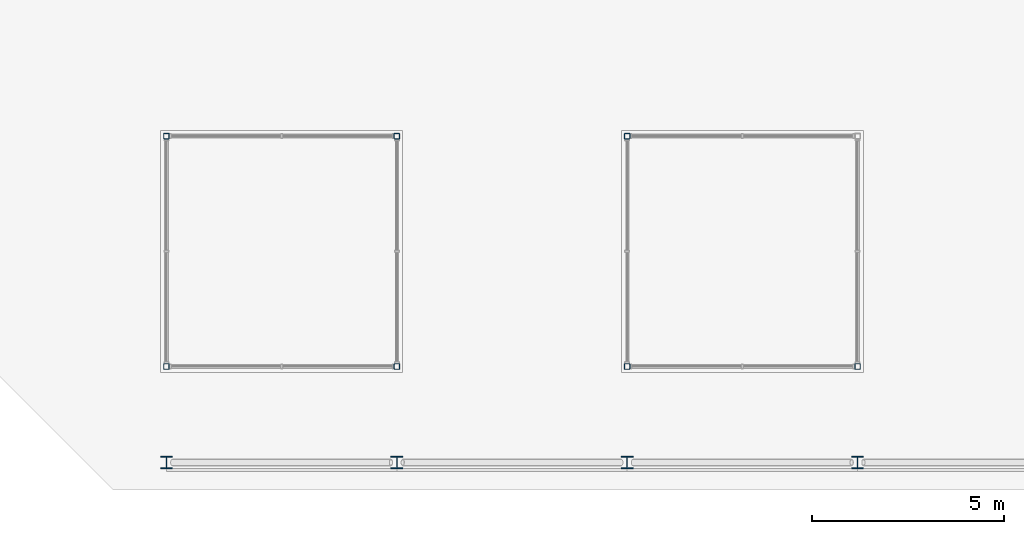
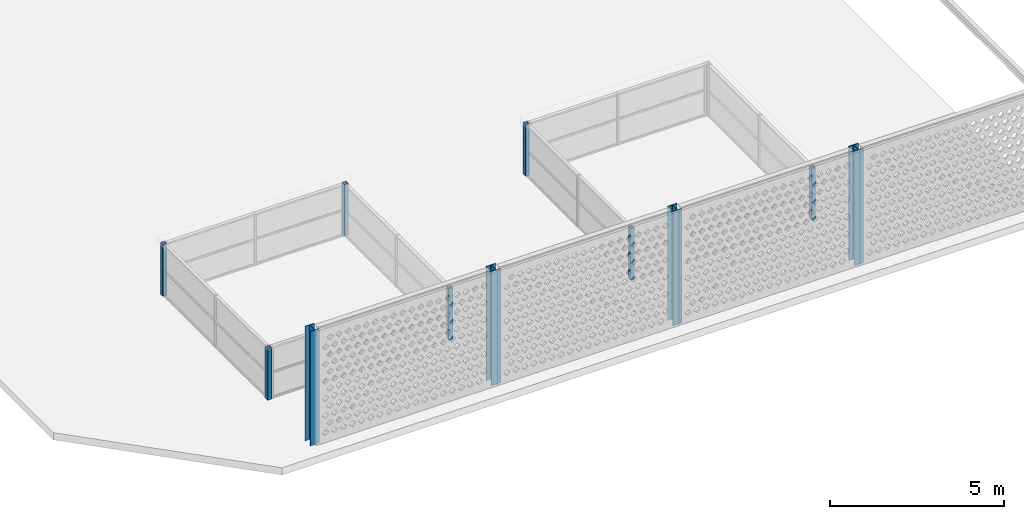
# One storey, part 1 of 10: 11 columns.
"""IFC4 building model written with IfcOpenShell, lengths in metres."""

import ifcopenshell
import ifcopenshell.guid

model = None  # the IFC model being written
_history = None  # IfcOwnerHistory: only IFC2X3 demands one
_inside = {}  # id of a spatial element -> (the spatial element, [elements in it])
_under = {}  # id of a project, library or spatial element -> (it, [spatial elements below it])
_declared = {}  # id of a project -> (the project, [libraries it declares])
_typed = {}  # id of a type object -> (the type object, [elements of that type])
_made_of = {}  # id of a material, layer set ... -> (it, [elements and type objects made of it])


def new_model(schema):
    """Start an empty IFC model of exactly this schema.

    Asked for "IFC4X3", IfcOpenShell would pick the latest addendum, in which some entities
    have other attributes; the version numbers below select the first issue.
    IFC2X3 requires an IfcOwnerHistory on every rooted entity: one is made here for all.
    """
    global model, _history
    if schema == "IFC4X3":
        model = ifcopenshell.file(schema_version=(4, 3, 0, 0))
    else:
        model = ifcopenshell.file(schema=schema)
    _inside.clear()
    _under.clear()
    _declared.clear()
    _typed.clear()
    _made_of.clear()
    _history = None
    if model.schema == "IFC2X3":
        org = make("IfcOrganization", Name="unknown")
        user = make(
            "IfcPersonAndOrganization",
            ThePerson=make("IfcPerson", FamilyName="unknown"),
            TheOrganization=org,
        )
        app = make(
            "IfcApplication",
            ApplicationDeveloper=org,
            Version="unknown",
            ApplicationFullName="unknown",
            ApplicationIdentifier="unknown",
        )
        _history = make(
            "IfcOwnerHistory",
            OwningUser=user,
            OwningApplication=app,
            ChangeAction="ADDED",
            CreationDate=0,
        )
    return model


def make(cls, **values):
    """One entity of the class cls with the attributes given. An attribute that is None is left unset."""
    return model.create_entity(
        cls, **{name: value for name, value in values.items() if value is not None}
    )


def rooted(cls, **values):
    """An entity with a GlobalId (a new one), such as an element, a storey or a relation."""
    return make(cls, GlobalId=ifcopenshell.guid.new(), OwnerHistory=_history, **values)


def si_unit(unit_type, name, prefix=None):
    """IfcSIUnit, for example si_unit("LENGTHUNIT", "METRE", prefix="MILLI")."""
    return make("IfcSIUnit", UnitType=unit_type, Prefix=prefix, Name=name)


def assignment(units):
    """IfcUnitAssignment: the units of a project."""
    return None if units is None else make("IfcUnitAssignment", Units=units)


def point(xyz):
    """IfcCartesianPoint."""
    return None if xyz is None else make("IfcCartesianPoint", Coordinates=xyz)


def direction(xyz):
    """IfcDirection."""
    return None if xyz is None else make("IfcDirection", DirectionRatios=xyz)


def frame(location, z_axis=None, x_axis=None):
    """IfcAxis2Placement3D, a coordinate frame: its origin and axes. An axis left out is left unset."""
    return make(
        "IfcAxis2Placement3D",
        Location=point(location),
        Axis=direction(z_axis),
        RefDirection=direction(x_axis),
    )


def frame_2d(location, x_axis=None):
    """IfcAxis2Placement2D, a coordinate frame in the plane: its origin and x axis."""
    return make(
        "IfcAxis2Placement2D", Location=point(location), RefDirection=direction(x_axis)
    )


def origin():
    """The frame at (0, 0, 0) with its axes left unset."""
    return frame((0.0, 0.0, 0.0))


def origin_2d():
    """The frame at (0, 0) in the plane with its x axis left unset."""
    return frame_2d((0.0, 0.0))


def place(relative_to, where):
    """IfcLocalPlacement: puts the frame where relative to a parent placement (None: the world)."""
    return make(
        "IfcLocalPlacement", PlacementRelTo=relative_to, RelativePlacement=where
    )


def context(
    kind, dimensions, precision=None, world=None, true_north=None, identifier=None
):
    """IfcGeometricRepresentationContext, for example the 3D "Model" context."""
    return make(
        "IfcGeometricRepresentationContext",
        ContextIdentifier=identifier,
        ContextType=kind,
        CoordinateSpaceDimension=dimensions,
        Precision=precision,
        WorldCoordinateSystem=world,
        TrueNorth=true_north,
    )


def subcontext(parent, identifier, kind, view, scale=None):
    """IfcGeometricRepresentationSubContext, for example "Body" below "Model"."""
    return make(
        "IfcGeometricRepresentationSubContext",
        ContextIdentifier=identifier,
        ContextType=kind,
        ParentContext=parent,
        TargetScale=scale,
        TargetView=view,
    )


def project(units=None, contexts=None):
    """IfcProject with its units and contexts."""
    return rooted(
        "IfcProject",
        Name="project",
        RepresentationContexts=contexts,
        UnitsInContext=assignment(units),
    )


def spatial(cls, under=None, at=None, **own):
    """A site, building, storey or space (cls), placed at a placement, below another one or the project."""
    s = rooted(cls, ObjectPlacement=at, **own)
    if under is not None:
        _under.setdefault(under.id(), (under, []))[1].append(s)
    return s


def profile(cls, at=None, kind="AREA", **sizes):
    """A parametric profile (cls). Its sizes go by their IFC names, for example OverallWidth=200.0."""
    return make(cls, ProfileType=kind, Position=at, **sizes)


def hollow_rectangle(**sizes):
    """IfcRectangleHollowProfileDef."""
    return profile("IfcRectangleHollowProfileDef", **sizes)


def i_section(**sizes):
    """IfcIShapeProfileDef."""
    return profile("IfcIShapeProfileDef", **sizes)


def extrude(swept, where, along, depth):
    """IfcExtrudedAreaSolid: the profile swept, set in the frame where, extruded along a direction by depth."""
    return make(
        "IfcExtrudedAreaSolid",
        SweptArea=swept,
        Position=where,
        ExtrudedDirection=direction(along),
        Depth=depth,
    )


def shape(context_of_items, identifier, shape_type, items):
    """IfcShapeRepresentation: the items that make up one representation, for example the "Body"."""
    return make(
        "IfcShapeRepresentation",
        ContextOfItems=context_of_items,
        RepresentationIdentifier=identifier,
        RepresentationType=shape_type,
        Items=items,
    )


def source(mapping_origin, context_of_items, identifier, shape_type, items):
    """IfcRepresentationMap: a shape defined once, which mapped items show again and again."""
    return make(
        "IfcRepresentationMap",
        MappingOrigin=mapping_origin,
        MappedRepresentation=shape(context_of_items, identifier, shape_type, items),
    )


def transform(
    local_origin,
    x_axis=None,
    y_axis=None,
    z_axis=None,
    scale=None,
    scale2=None,
    scale3=None,
    uniform=True,
):
    """IfcCartesianTransformationOperator3D, or its non-uniform kind. x_axis, y_axis, z_axis: its Axis1, 2, 3."""
    if uniform:
        return make(
            "IfcCartesianTransformationOperator3D",
            Axis1=direction(x_axis),
            Axis2=direction(y_axis),
            LocalOrigin=point(local_origin),
            Scale=scale,
            Axis3=direction(z_axis),
        )
    return make(
        "IfcCartesianTransformationOperator3DnonUniform",
        Axis1=direction(x_axis),
        Axis2=direction(y_axis),
        LocalOrigin=point(local_origin),
        Scale=scale,
        Axis3=direction(z_axis),
        Scale2=scale2,
        Scale3=scale3,
    )


def mapped(mapping_source, mapping_target):
    """IfcMappedItem: shows the shape of a source again, moved by a transform."""
    return make(
        "IfcMappedItem", MappingSource=mapping_source, MappingTarget=mapping_target
    )


def material(Name=None, Category=None):
    """IfcMaterial."""
    return make("IfcMaterial", Name=Name, Category=Category)


def material_profile(
    of_material, cross_section, Name=None, Category=None, Priority=None
):
    """IfcMaterialProfile: a cross section and its material."""
    return make(
        "IfcMaterialProfile",
        Name=Name,
        Material=of_material,
        Profile=cross_section,
        Priority=Priority,
        Category=Category,
    )


def profile_set(profiles, Name=None, composite=None):
    """IfcMaterialProfileSet."""
    return make(
        "IfcMaterialProfileSet",
        Name=Name,
        MaterialProfiles=profiles,
        CompositeProfile=composite,
    )


def made_of(thing, what):
    """Note that an element or type object is made of a material, layer set ...; save() writes the relation."""
    if what is not None:
        _made_of.setdefault(what.id(), (what, []))[1].append(thing)
    return thing


def type_object(cls, material=None, **own):
    """A type object (cls), such as IfcWallType, which elements share."""
    return made_of(rooted(cls, **own), material)


def element(
    cls,
    number,
    at=None,
    inside=None,
    cuts=None,
    type_object=None,
    material=None,
    context=None,
    identifier="Body",
    shape_type=None,
    held_by="IfcProductDefinitionShape",
    body=None,
    shapes=None,
    **own,
):
    """One element of the class cls, such as IfcWall. Its Tag is "e" and its number.

    at: its placement. inside: the storey or other place that contains it. cuts: it is an
    opening in that element (IfcRelVoidsElement). A single representation is given by context,
    identifier, shape_type and body (its items); several are given by shapes. held_by: the class
    of the entity that holds the representations. save() writes the other relations.
    """
    e = rooted(cls, Tag="e%d" % number, ObjectPlacement=at, **own)
    if body is not None:
        shapes = [shape(context, identifier, shape_type, body)]
    if shapes is not None:
        e.Representation = make(held_by, Representations=shapes)
    if inside is not None:
        _inside.setdefault(inside.id(), (inside, []))[1].append(e)
    if cuts is not None:
        rooted(
            "IfcRelVoidsElement", RelatingBuildingElement=cuts, RelatedOpeningElement=e
        )
    if type_object is not None:
        _typed.setdefault(type_object.id(), (type_object, []))[1].append(e)
    return made_of(e, material)


def aggregate(whole, parts):
    """IfcRelAggregates: a whole, such as a stair, and the parts it consists of."""
    return rooted("IfcRelAggregates", RelatingObject=whole, RelatedObjects=parts)


def save(model, path):
    """Write the relations noted so far, then the file.

    IfcRelAggregates (storeys below a building ...), IfcRelContainedInSpatialStructure (elements
    in a storey), IfcRelDefinesByType, IfcRelAssociatesMaterial and IfcRelDeclares: one each for
    every whole, place, type object, material and project.
    """
    for whole, parts in _under.values():
        aggregate(whole, parts)
    for where, things in _inside.values():
        rooted(
            "IfcRelContainedInSpatialStructure",
            RelatedElements=things,
            RelatingStructure=where,
        )
    for kind, things in _typed.values():
        rooted("IfcRelDefinesByType", RelatedObjects=things, RelatingType=kind)
    for what, things in _made_of.values():
        rooted("IfcRelAssociatesMaterial", RelatedObjects=things, RelatingMaterial=what)
    for by, libraries in _declared.values():
        rooted("IfcRelDeclares", RelatingContext=by, RelatedDefinitions=libraries)
    model.write(path)


model = new_model("IFC4")

# Units and contexts
model_context = context("Model", 3, precision=1e-05, world=origin(), true_north=direction((0.0, 1.0)))
body_context = subcontext(model_context, "Body", "Model", "MODEL_VIEW")
ifc_project = project(units=[si_unit("LENGTHUNIT", "METRE"), si_unit("AREAUNIT", "SQUARE_METRE"), si_unit("VOLUMEUNIT", "CUBIC_METRE"), si_unit("PLANEANGLEUNIT", "RADIAN"), si_unit("MASSUNIT", "GRAM", prefix="KILO")], contexts=[model_context])

# Site, building, storey
site_placement = place(None, origin())
site = spatial("IfcSite", under=ifc_project, at=site_placement, CompositionType="ELEMENT")
building_placement = place(site_placement, origin())
building = spatial("IfcBuilding", under=site, at=building_placement, Name="Poui Terraces", CompositionType="ELEMENT")
storey_placement = place(building_placement, frame((0.0, 0.0, 292.199951171875)))
storey = spatial("IfcBuildingStorey", under=building, at=storey_placement, Name="ROOF", CompositionType="ELEMENT", Elevation=292.199951171875)

# Columns
ifc_material_1 = material(Name="Steel Grade 300 MPa", Category="steel")
ifc_material_profile_1 = material_profile(ifc_material_1, i_section(OverallWidth=0.306884765625, OverallDepth=0.314697265625, WebThickness=0.011962890625, FlangeThickness=0.018798828125, FilletRadius=0.0166015625, at=origin_2d()), Name="310UC118")
ifc_profile_set_1 = profile_set([ifc_material_profile_1], Name="Steel Grade 300 MPa")
column_type_1 = type_object("IfcColumnType", Name="SCREEN FRAME POST 310UC118", PredefinedType="COLUMN", material=ifc_profile_set_1)
shared_shape_1 = source(origin(), body_context, "Body", "SweptSolid", [
    extrude(i_section(OverallWidth=0.306884765625, OverallDepth=0.314697265625, WebThickness=0.011962890625, FlangeThickness=0.018798828125, FilletRadius=0.0166015625, at=origin_2d()), origin(), (0.0, 0.0, 1.0), 4.0),
])
for number, where, z_axis, x_axis, name in (
    (1, (24.0, 0.5, 0.0), (0.0, 0.0, 1.0), (1.0, 0.0, 0.0), "SCREEN FRAME POST S5"),
    (2, (30.0, 0.5, 0.0), (0.0, 0.0, 1.0), (1.0, 0.0, 0.0), "SCREEN FRAME POST S6"),
    (3, (36.0, 0.5, 0.0), (0.0, 0.0, 1.0), (1.0, 0.0, 0.0), "SCREEN FRAME POST S7"),
    (4, (42.0, 0.5, 0.0), (0.0, 0.0, 1.0), (1.0, 0.0, 0.0), "SCREEN FRAME POST S8"),
):
    element("IfcColumn", number, at=place(storey_placement, frame(where, z_axis=z_axis, x_axis=x_axis)), inside=storey, type_object=column_type_1, Name=name, PredefinedType="COLUMN", context=body_context, shape_type="MappedRepresentation", body=[
        mapped(shared_shape_1, transform((0.0, 0.0, 0.0))),
    ])
ifc_material_2 = material(Name="Steel Grade 350 MPa", Category="steel")
ifc_material_profile_2 = material_profile(ifc_material_2, hollow_rectangle(XDim=0.14990234375, YDim=0.14990234375, WallThickness=0.009033203125, InnerFilletRadius=0.013427734375, OuterFilletRadius=0.0224609375, at=origin_2d()), Name="150x150x9.0 SHS")
ifc_profile_set_2 = profile_set([ifc_material_profile_2], Name="Steel Grade 350 MPa")
column_type_2 = type_object("IfcColumnType", Name="LANTERN POST 150x150x9.0 SHS", PredefinedType="COLUMN", material=ifc_profile_set_2)
shared_shape_2 = source(origin(), body_context, "Body", "SweptSolid", [
    extrude(hollow_rectangle(XDim=0.14990234375, YDim=0.14990234375, WallThickness=0.009033203125, InnerFilletRadius=0.013427734375, OuterFilletRadius=0.0224609375, at=origin_2d()), origin(), (0.0, 0.0, 1.0), 1.800048828125),
])
for number, where, z_axis, x_axis, name in (
    (5, (24.0, 3.0, 0.0), (0.0, 0.0, 1.0), (1.0, 0.0, 0.0), "LANTERN POST"),
    (6, (30.0, 3.0, 0.0), (0.0, 0.0, 1.0), (1.0, 0.0, 0.0), "LANTERN POST"),
    (7, (30.0, 9.0, 0.0), (0.0, 0.0, 1.0), (1.0, 0.0, 0.0), "LANTERN POST"),
    (8, (24.0, 9.0, 0.0), (0.0, 0.0, 1.0), (1.0, 0.0, 0.0), "LANTERN POST"),
    (9, (36.0, 3.0, 0.0), (0.0, 0.0, 1.0), (1.0, 0.0, 0.0), "LANTERN POST"),
    (10, (42.0, 3.0, 0.0), (0.0, 0.0, 1.0), (1.0, 0.0, 0.0), "LANTERN POST"),
    (11, (36.0, 9.0, 0.0), (0.0, 0.0, 1.0), (1.0, 0.0, 0.0), "LANTERN POST"),
):
    element("IfcColumn", number, at=place(storey_placement, frame(where, z_axis=z_axis, x_axis=x_axis)), inside=storey, type_object=column_type_2, Name=name, PredefinedType="COLUMN", context=body_context, shape_type="MappedRepresentation", body=[
        mapped(shared_shape_2, transform((0.0, 0.0, 0.0))),
    ])

save(model, "model.ifc")
